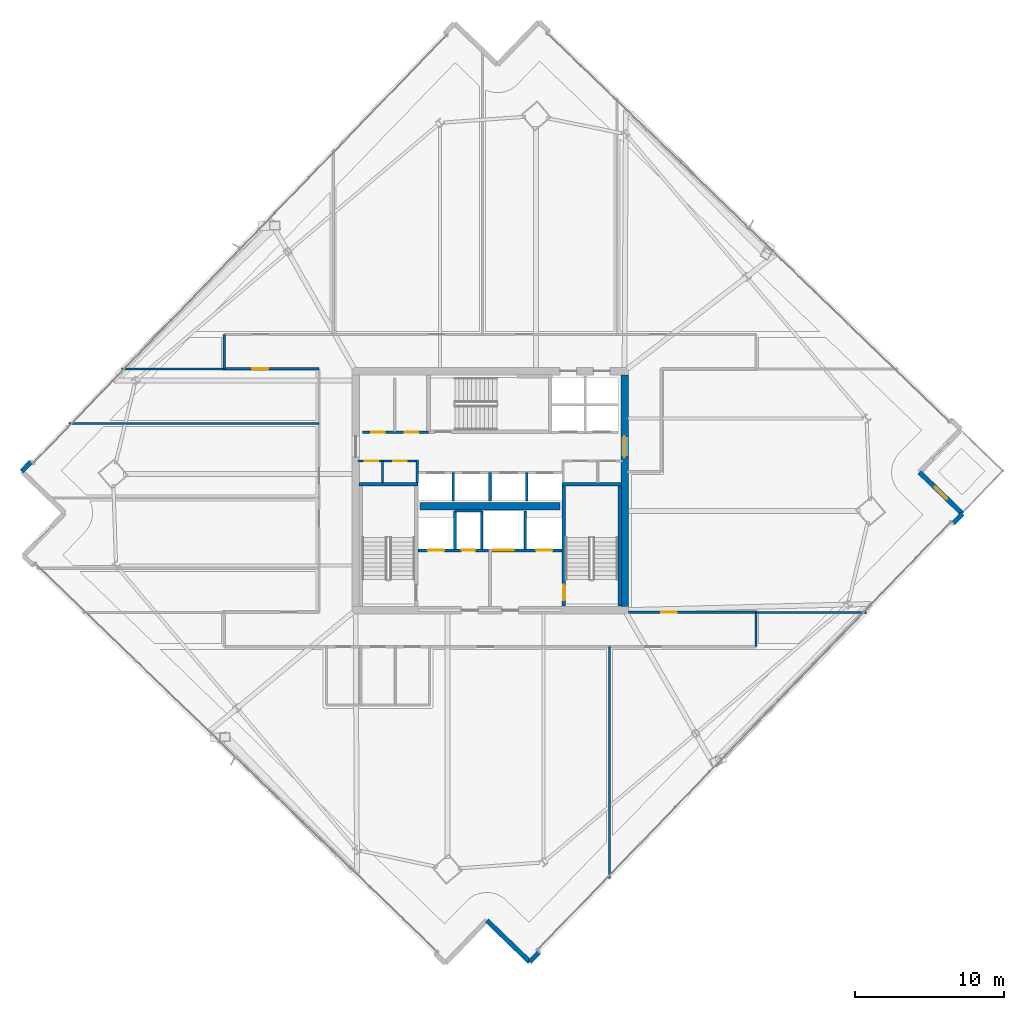
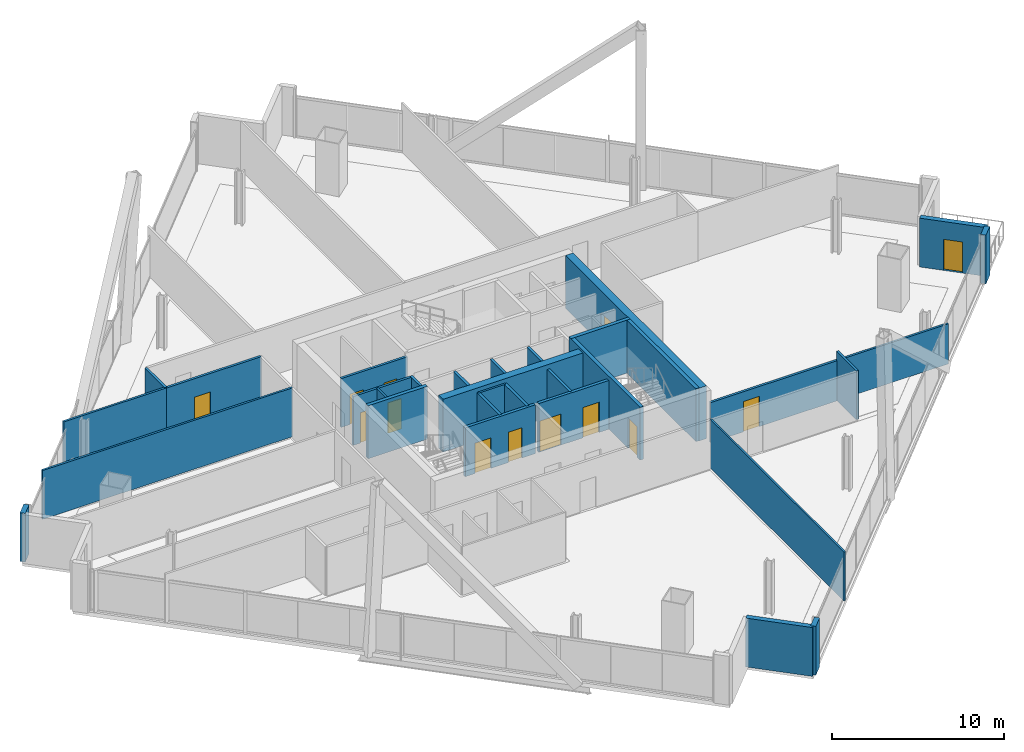
# One storey, part 26 of 33: 32 walls, 13 doors, 13 openings.
"""IFC4 building model written with IfcOpenShell, lengths in metres."""

from ifc_helpers import new_model, si_unit, direction, frame, frame_2d, origin, place, context, subcontext, project, spatial, rectangle, extrude, material, layer, layer_set, type_object, element, fill, save


model = new_model("IFC4")

# Units and contexts
model_context = context("Model", 3, precision=1e-05, world=origin(), true_north=direction((0.0, 1.0)))
body_context = subcontext(model_context, "Body", "Model", "MODEL_VIEW")
ifc_project = project(units=[si_unit("LENGTHUNIT", "METRE"), si_unit("AREAUNIT", "SQUARE_METRE"), si_unit("VOLUMEUNIT", "CUBIC_METRE"), si_unit("PLANEANGLEUNIT", "RADIAN"), si_unit("MASSUNIT", "GRAM", prefix="KILO")], contexts=[model_context])

# Site, building, storey
site_placement = place(None, origin())
site = spatial("IfcSite", under=ifc_project, at=site_placement, CompositionType="ELEMENT")
building_placement = place(site_placement, origin())
building = spatial("IfcBuilding", under=site, at=building_placement, Name="Haldenkirk Collegiate Tower", CompositionType="ELEMENT")
storey_placement = place(building_placement, frame((0.0, 0.0, 181.949951171875)))
storey = spatial("IfcBuildingStorey", under=building, at=storey_placement, Name="L45", CompositionType="ELEMENT", Elevation=181.949951171875)

# Wall, opening, door
ifc_material_1 = material(Name="Concrete f'c 55 MPa", Category="concrete")
ifc_layer_1 = layer(ifc_material_1, 0.5)
ifc_layer_set_1 = layer_set([ifc_layer_1], Name="Concrete f'c 55 MPa")
wall_type_1 = type_object("IfcWallType", Name="WL-CORE-500", PredefinedType="SHEAR", material=ifc_layer_set_1)
wall_1_placement = place(storey_placement, frame((45.0, 18.25, 0.0), z_axis=(0.0, 0.0, 1.0), x_axis=(0.0, 1.0, 0.0)))
wall_1 = element("IfcWall", 1, at=wall_1_placement, inside=storey, type_object=wall_type_1, Name="L45 central core shear wall E", PredefinedType="SHEAR", context=body_context, shape_type="SweptSolid", body=[
    extrude(rectangle(XDim=15.5, YDim=0.5, at=frame_2d((7.75, 0.0))), origin(), (0.0, 0.0, 1.0), 3.75),
])
opening_1_placement = place(wall_1_placement, frame((9.989990234375, 0.0, 0.0)))
opening_1 = element("IfcOpeningElement", 2, at=opening_1_placement, cuts=wall_1, Name="Opening D-03", PredefinedType="OPENING", context=body_context, shape_type="SweptSolid", body=[
    extrude(rectangle(XDim=1.39990234375, YDim=2.199951171875, at=frame_2d((0.699951171875, 1.10009765625))), frame((0.0, 0.260009765625, 0.0), z_axis=(0.0, -1.0, 0.0), x_axis=(1.0, 0.0, 0.0)), (0.0, 0.0, 1.0), 0.52001953125),
])
ifc_material_2 = material(Name="Galvanized fire-rated hollow steel door", Category="steel")
ifc_layer_2 = layer(ifc_material_2, 0.06005859375)
ifc_layer_set_2 = layer_set([ifc_layer_2], Name="Galvanized fire-rated hollow steel door")
door_type_1 = type_object("IfcDoorType", Name="DR-LOBBY-FD90-1400", OperationType="NOTDEFINED", PredefinedType="DOOR", material=ifc_layer_set_2)
door_1_placement = place(opening_1_placement, origin())
door_1 = element("IfcDoor", 3, at=door_1_placement, inside=storey, type_object=door_type_1, Name="L45 east lift lobby portal", OperationType="DOUBLE_DOOR_SINGLE_SWING", OverallHeight=2.199951171875, OverallWidth=1.39990234375, PredefinedType="DOOR", context=body_context, shape_type="SweptSolid", body=[
    extrude(rectangle(XDim=1.39990234375, YDim=2.199951171875, at=frame_2d((0.699951171875, 1.10009765625))), frame((0.0, 0.02490234375, 0.0), z_axis=(0.0, -1.0, 0.0), x_axis=(1.0, 0.0, 0.0)), (0.0, 0.0, 1.0), 0.050048828125),
])
fill(opening_1, door_1)

# Walls
wall_2_placement = place(storey_placement, frame((31.31005859375, 24.949951171875, 0.0), z_axis=(0.0, 0.0, 1.0), x_axis=(1.0, 0.0, 0.0)))
element("IfcWall", 4, at=wall_2_placement, inside=storey, type_object=wall_type_1, Name="L45 central core spine shear wall", PredefinedType="SHEAR", context=body_context, shape_type="SweptSolid", body=[
    extrude(rectangle(XDim=9.3798828125, YDim=0.5, at=frame_2d((4.68994140625, 0.0))), origin(), (0.0, 0.0, 1.0), 3.75),
])
ifc_material_3 = material(Name="Precast concrete f'c 40 MPa", Category="concrete")
ifc_layer_3 = layer(ifc_material_3, 0.320068359375)
ifc_layer_set_3 = layer_set([ifc_layer_3], Name="Precast concrete f'c 40 MPa")
wall_type_2 = type_object("IfcWallType", Name="WL-EXT-TWR-320", PredefinedType="STANDARD", material=ifc_layer_set_3)
for number, where, z_axis, x_axis, name in (
    (5, (67.621826171875, 24.447998046875, 0.0), (0.0, 0.0, 1.0), (-0.694657439791, -0.719340699073, 0.0), "L45 precast corner pier SL"),
    (6, (39.27978515625, -4.901123046875, 0.0), (0.0, 0.0, 1.0), (-0.694657439791, -0.719340699073, 0.0), "L45 precast corner pier SR"),
):
    element("IfcWall", number, at=place(storey_placement, frame(where, z_axis=z_axis, x_axis=x_axis)), inside=storey, type_object=wall_type_2, Name=name, PredefinedType="STANDARD", context=body_context, shape_type="SweptSolid", body=[
        extrude(rectangle(XDim=0.900146484375, YDim=0.320068359375, at=frame_2d((0.4501953125, 0.0))), origin(), (0.0, 0.0, 1.0), 3.4599609375),
    ])

# Wall, opening, door
wall_3_placement = place(storey_placement, frame((64.744384765625, 27.2265625, 0.0), z_axis=(0.0, 0.0, 1.0), x_axis=(0.719358340361, -0.694639171191, 0.0)))
wall_3 = element("IfcWall", 7, at=wall_3_placement, inside=storey, type_object=wall_type_2, Name="L45 bronze precast notch wall 02", PredefinedType="STANDARD", context=body_context, shape_type="SweptSolid", body=[
    extrude(rectangle(XDim=4.0, YDim=0.320068359375, at=frame_2d((2.0, 0.0))), origin(), (0.0, 0.0, 1.0), 3.4599609375),
])
opening_2_placement = place(wall_3_placement, frame((1.425048828125, 0.0, 0.0)))
opening_2 = element("IfcOpeningElement", 8, at=opening_2_placement, cuts=wall_3, Name="Opening D-ST11", PredefinedType="OPENING", context=body_context, shape_type="SweptSolid", body=[
    extrude(rectangle(XDim=1.14990234375, YDim=2.199951171875, at=frame_2d((0.574951171875, 1.10009765625))), frame((0.0, 0.169921875, 0.0), z_axis=(0.0, -1.0, 0.0), x_axis=(1.0, 0.0, 0.0)), (0.0, 0.0, 1.0), 0.340087890625),
])
ifc_material_4 = material(Name="Anodised architectural bronze aluminium", Category="aluminium")
ifc_layer_4 = layer(ifc_material_4, 0.080078125)
ifc_layer_set_4 = layer_set([ifc_layer_4], Name="Anodised architectural bronze aluminium")
door_type_2 = type_object("IfcDoorType", Name="DR-EXT-STER-1150", OperationType="NOTDEFINED", PredefinedType="DOOR", material=ifc_layer_set_4)
door_2_placement = place(opening_2_placement, origin())
door_2 = element("IfcDoor", 9, at=door_2_placement, inside=storey, type_object=door_type_2, Name="L45 spiralling terrace door", OperationType="SINGLE_SWING_RIGHT", OverallHeight=2.199951171875, OverallWidth=1.14990234375, PredefinedType="DOOR", context=body_context, shape_type="SweptSolid", body=[
    extrude(rectangle(XDim=1.14990234375, YDim=2.199951171875, at=frame_2d((0.574951171875, 1.10009765625))), frame((0.0, 0.02490234375, 0.0), z_axis=(0.0, -1.0, 0.0), x_axis=(1.0, 0.0, 0.0)), (0.0, 0.0, 1.0), 0.050048828125),
])
fill(opening_2, door_2)

# Walls
wall_4_placement = place(storey_placement, frame((4.64794921875, 27.29150390625, 0.0), z_axis=(0.0, 0.0, 1.0), x_axis=(0.694657439791, 0.719340699073, 0.0)))
element("IfcWall", 10, at=wall_4_placement, inside=storey, type_object=wall_type_2, Name="L45 precast corner pier NL", PredefinedType="STANDARD", context=body_context, shape_type="SweptSolid", body=[
    extrude(rectangle(XDim=0.900146484375, YDim=0.320068359375, at=frame_2d((0.4501953125, 0.0))), origin(), (0.0, 0.0, 1.0), 3.4599609375),
])
wall_5_placement = place(storey_placement, frame((38.654541015625, -5.548583984375, 0.0), z_axis=(0.0, 0.0, 1.0), x_axis=(-0.719298387927, 0.694701251709, 0.0)))
element("IfcWall", 11, at=wall_5_placement, inside=storey, type_object=wall_type_2, Name="L45 bronze precast notch wall 12", PredefinedType="STANDARD", context=body_context, shape_type="SweptSolid", body=[
    extrude(rectangle(XDim=4.0, YDim=0.320068359375, at=frame_2d((2.0, 0.0))), origin(), (0.0, 0.0, 1.0), 3.4599609375),
])

# Wall, openings, doors
ifc_material_5 = material(Name="Acoustic fire-rated gypsum partition", Category="concrete")
ifc_layer_5 = layer(ifc_material_5, 0.159912109375)
ifc_layer_set_5 = layer_set([ifc_layer_5], Name="Acoustic fire-rated gypsum partition")
wall_type_3 = type_object("IfcWallType", Name="WL-INT-CORR-160", PredefinedType="PARTITIONING", material=ifc_layer_set_5)
wall_6_placement = place(storey_placement, frame((27.14990234375, 27.97998046875, 0.0), z_axis=(0.0, 0.0, 1.0), x_axis=(1.0, 0.0, 0.0)))
wall_6 = element("IfcWall", 12, at=wall_6_placement, inside=storey, type_object=wall_type_3, Name="L45 interior partition IW-L45-VCSW-N", PredefinedType="PARTITIONING", context=body_context, shape_type="SweptSolid", body=[
    extrude(rectangle(XDim=4.050048828125, YDim=0.159912109375, at=frame_2d((2.02490234375, 0.0))), origin(), (0.0, 0.0, 1.0), 3.4599609375),
])
opening_3_placement = place(wall_6_placement, frame((0.469970703125, 0.0, 0.0)))
opening_3 = element("IfcOpeningElement", 13, at=opening_3_placement, cuts=wall_6, Name="Opening D-11", PredefinedType="OPENING", context=body_context, shape_type="SweptSolid", body=[
    extrude(rectangle(XDim=0.89990234375, YDim=2.14990234375, at=frame_2d((0.449951171875, 1.074951171875))), frame((0.0, 0.08984375, 0.0), z_axis=(0.0, -1.0, 0.0), x_axis=(1.0, 0.0, 0.0)), (0.0, 0.0, 1.0), 0.179931640625),
])
opening_4_placement = place(wall_6_placement, frame((2.360107421875, 0.0, 0.0)))
opening_4 = element("IfcOpeningElement", 14, at=opening_4_placement, cuts=wall_6, Name="Opening D-11", PredefinedType="OPENING", context=body_context, shape_type="SweptSolid", body=[
    extrude(rectangle(XDim=0.89990234375, YDim=2.14990234375, at=frame_2d((0.449951171875, 1.074951171875))), frame((0.0, 0.08984375, 0.0), z_axis=(0.0, -1.0, 0.0), x_axis=(1.0, 0.0, 0.0)), (0.0, 0.0, 1.0), 0.179931640625),
])
ifc_material_6 = material(Name="Solid-core architectural oak fire door", Category="wood")
ifc_layer_6 = layer(ifc_material_6, 0.06005859375)
ifc_layer_set_6 = layer_set([ifc_layer_6], Name="Solid-core architectural oak fire door")
door_type_3 = type_object("IfcDoorType", Name="DR-INT-FD60-900", OperationType="NOTDEFINED", PredefinedType="DOOR", material=ifc_layer_set_6)
door_3_placement = place(opening_3_placement, origin())
door_3 = element("IfcDoor", 15, at=door_3_placement, inside=storey, type_object=door_type_3, Name="L45 core AV closet door", OperationType="SINGLE_SWING_LEFT", OverallHeight=2.14990234375, OverallWidth=0.89990234375, PredefinedType="DOOR", context=body_context, shape_type="SweptSolid", body=[
    extrude(rectangle(XDim=0.89990234375, YDim=2.14990234375, at=frame_2d((0.449951171875, 1.074951171875))), frame((0.0, 0.02490234375, 0.0), z_axis=(0.0, -1.0, 0.0), x_axis=(1.0, 0.0, 0.0)), (0.0, 0.0, 1.0), 0.050048828125),
])
fill(opening_3, door_3)
door_4_placement = place(opening_4_placement, origin())
door_4 = element("IfcDoor", 16, at=door_4_placement, inside=storey, type_object=door_type_3, Name="L45 core supply closet door", OperationType="SINGLE_SWING_RIGHT", OverallHeight=2.14990234375, OverallWidth=0.89990234375, PredefinedType="DOOR", context=body_context, shape_type="SweptSolid", body=[
    extrude(rectangle(XDim=0.89990234375, YDim=2.14990234375, at=frame_2d((0.449951171875, 1.074951171875))), frame((0.0, 0.02490234375, 0.0), z_axis=(0.0, -1.0, 0.0), x_axis=(1.0, 0.0, 0.0)), (0.0, 0.0, 1.0), 0.050048828125),
])
fill(opening_4, door_4)

# Wall
wall_7_placement = place(storey_placement, frame((31.1201171875, 26.5400390625, 0.0), z_axis=(0.0, 0.0, 1.0), x_axis=(0.0, 1.0, 0.0)))
element("IfcWall", 17, at=wall_7_placement, inside=storey, type_object=wall_type_3, Name="L45 interior partition IW-L45-VCSW-E", PredefinedType="PARTITIONING", context=body_context, shape_type="SweptSolid", body=[
    extrude(rectangle(XDim=1.510009765625, YDim=0.159912109375, at=frame_2d((0.7548828125, 0.0))), origin(), (0.0, 0.0, 1.0), 3.4599609375),
])

# Wall, openings, doors
wall_8_placement = place(storey_placement, frame((27.449951171875, 29.89990234375, 0.0), z_axis=(0.0, 0.0, 1.0), x_axis=(1.0, 0.0, 0.0)))
wall_8 = element("IfcWall", 18, at=wall_8_placement, inside=storey, type_object=wall_type_3, Name="L45 interior partition IW-L45-PLS", PredefinedType="PARTITIONING", context=body_context, shape_type="SweptSolid", body=[
    extrude(rectangle(XDim=4.429931640625, YDim=0.159912109375, at=frame_2d((2.21484375, 0.0))), origin(), (0.0, 0.0, 1.0), 3.4599609375),
])
opening_5_placement = place(wall_8_placement, frame((0.60009765625, 0.0, 0.0)))
opening_5 = element("IfcOpeningElement", 19, at=opening_5_placement, cuts=wall_8, Name="Opening D-11", PredefinedType="OPENING", context=body_context, shape_type="SweptSolid", body=[
    extrude(rectangle(XDim=0.89990234375, YDim=2.14990234375, at=frame_2d((0.449951171875, 1.074951171875))), frame((0.0, 0.08984375, 0.0), z_axis=(0.0, -1.0, 0.0), x_axis=(1.0, 0.0, 0.0)), (0.0, 0.0, 1.0), 0.179931640625),
])
opening_6_placement = place(wall_8_placement, frame((2.85009765625, 0.0, 0.0)))
opening_6 = element("IfcOpeningElement", 20, at=opening_6_placement, cuts=wall_8, Name="Opening D-11", PredefinedType="OPENING", context=body_context, shape_type="SweptSolid", body=[
    extrude(rectangle(XDim=0.89990234375, YDim=2.14990234375, at=frame_2d((0.449951171875, 1.074951171875))), frame((0.0, 0.08984375, 0.0), z_axis=(0.0, -1.0, 0.0), x_axis=(1.0, 0.0, 0.0)), (0.0, 0.0, 1.0), 0.179931640625),
])
door_5_placement = place(opening_5_placement, origin())
door_5 = element("IfcDoor", 21, at=door_5_placement, inside=storey, type_object=door_type_3, Name="L45 tea kitchen door", OperationType="SINGLE_SWING_LEFT", OverallHeight=2.14990234375, OverallWidth=0.89990234375, PredefinedType="DOOR", context=body_context, shape_type="SweptSolid", body=[
    extrude(rectangle(XDim=0.89990234375, YDim=2.14990234375, at=frame_2d((0.449951171875, 1.074951171875))), frame((0.0, 0.02490234375, 0.0), z_axis=(0.0, -1.0, 0.0), x_axis=(1.0, 0.0, 0.0)), (0.0, 0.0, 1.0), 0.050048828125),
])
fill(opening_5, door_5)
door_6_placement = place(opening_6_placement, origin())
door_6 = element("IfcDoor", 22, at=door_6_placement, inside=storey, type_object=door_type_3, Name="L45 IT room door", OperationType="SINGLE_SWING_RIGHT", OverallHeight=2.14990234375, OverallWidth=0.89990234375, PredefinedType="DOOR", context=body_context, shape_type="SweptSolid", body=[
    extrude(rectangle(XDim=0.89990234375, YDim=2.14990234375, at=frame_2d((0.449951171875, 1.074951171875))), frame((0.0, 0.02490234375, 0.0), z_axis=(0.0, -1.0, 0.0), x_axis=(1.0, 0.0, 0.0)), (0.0, 0.0, 1.0), 0.050048828125),
])
fill(opening_6, door_6)

# Wall, opening, door
wall_9_placement = place(storey_placement, frame((45.25, 17.85009765625, 0.0), z_axis=(0.0, 0.0, 1.0), x_axis=(1.0, 0.0, 0.0)))
wall_9 = element("IfcWall", 23, at=wall_9_placement, inside=storey, type_object=wall_type_3, Name="L45 interior partition IW-L45-CSE", PredefinedType="PARTITIONING", context=body_context, shape_type="SweptSolid", body=[
    extrude(rectangle(XDim=8.550048828125, YDim=0.159912109375, at=frame_2d((4.27490234375, 0.0))), origin(), (0.0, 0.0, 1.0), 2.839111328125),
])
opening_7_placement = place(wall_9_placement, frame((2.2109375, 0.0, 0.0)))
opening_7 = element("IfcOpeningElement", 24, at=opening_7_placement, cuts=wall_9, Name="Opening D-09", PredefinedType="OPENING", context=body_context, shape_type="SweptSolid", body=[
    extrude(rectangle(XDim=1.050048828125, YDim=2.14990234375, at=frame_2d((0.52490234375, 1.074951171875))), frame((0.0, 0.08984375, 0.0), z_axis=(0.0, -1.0, 0.0), x_axis=(1.0, 0.0, 0.0)), (0.0, 0.0, 1.0), 0.179931640625),
])
ifc_layer_7 = layer(ifc_material_6, 0.06005859375)
ifc_layer_set_7 = layer_set([ifc_layer_7], Name="Solid-core architectural oak fire door")
door_type_4 = type_object("IfcDoorType", Name="DR-INT-FD60-1050", OperationType="NOTDEFINED", PredefinedType="DOOR", material=ifc_layer_set_7)
door_7_placement = place(opening_7_placement, origin())
door_7 = element("IfcDoor", 25, at=door_7_placement, inside=storey, type_object=door_type_4, Name="L45 Graduate Seminar Room 11 door", OperationType="SINGLE_SWING_RIGHT", OverallHeight=2.14990234375, OverallWidth=1.050048828125, PredefinedType="DOOR", context=body_context, shape_type="SweptSolid", body=[
    extrude(rectangle(XDim=1.050048828125, YDim=2.14990234375, at=frame_2d((0.52490234375, 1.074951171875))), frame((0.0, 0.02490234375, 0.0), z_axis=(0.0, -1.0, 0.0), x_axis=(1.0, 0.0, 0.0)), (0.0, 0.0, 1.0), 0.050048828125),
])
fill(opening_7, door_7)

wall_10_placement = place(storey_placement, frame((18.199951171875, 34.14990234375, 0.0), z_axis=(0.0, 0.0, 1.0), x_axis=(1.0, 0.0, 0.0)))
wall_10 = element("IfcWall", 26, at=wall_10_placement, inside=storey, type_object=wall_type_3, Name="L45 interior partition IW-L45-CNW", PredefinedType="PARTITIONING", context=body_context, shape_type="SweptSolid", body=[
    extrude(rectangle(XDim=6.35009765625, YDim=0.159912109375, at=frame_2d((3.175048828125, 0.0))), origin(), (0.0, 0.0, 1.0), 3.4599609375),
])
opening_8_placement = place(wall_10_placement, frame((1.887939453125, 0.0, 0.0)))
opening_8 = element("IfcOpeningElement", 27, at=opening_8_placement, cuts=wall_10, Name="Opening D-09", PredefinedType="OPENING", context=body_context, shape_type="SweptSolid", body=[
    extrude(rectangle(XDim=1.050048828125, YDim=2.14990234375, at=frame_2d((0.52490234375, 1.074951171875))), frame((0.0, 0.08984375, 0.0), z_axis=(0.0, -1.0, 0.0), x_axis=(1.0, 0.0, 0.0)), (0.0, 0.0, 1.0), 0.179931640625),
])
door_8_placement = place(opening_8_placement, origin())
door_8 = element("IfcDoor", 28, at=door_8_placement, inside=storey, type_object=door_type_4, Name="L45 Faculty Tea Kitchen 10 door", OperationType="SINGLE_SWING_LEFT", OverallHeight=2.14990234375, OverallWidth=1.050048828125, PredefinedType="DOOR", context=body_context, shape_type="SweptSolid", body=[
    extrude(rectangle(XDim=1.050048828125, YDim=2.14990234375, at=frame_2d((0.52490234375, 1.074951171875))), frame((0.0, 0.02490234375, 0.0), z_axis=(0.0, -1.0, 0.0), x_axis=(1.0, 0.0, 0.0)), (0.0, 0.0, 1.0), 0.050048828125),
])
fill(opening_8, door_8)

# Walls
for number, where, z_axis, x_axis, name in (
    (29, (53.800048828125, 15.550048828125, 0.0), (0.0, 0.0, 1.0), (0.0, 1.0, 0.0), "L45 interior partition IW-L45-CSR"),
    (30, (18.199951171875, 34.14990234375, 0.0), (0.0, 0.0, 1.0), (0.0, 1.0, 0.0), "L45 interior partition IW-L45-CNL"),
):
    element("IfcWall", number, at=place(storey_placement, frame(where, z_axis=z_axis, x_axis=x_axis)), inside=storey, type_object=wall_type_3, Name=name, PredefinedType="PARTITIONING", context=body_context, shape_type="SweptSolid", body=[
        extrude(rectangle(XDim=2.300048828125, YDim=0.159912109375, at=frame_2d((1.14990234375, 0.0))), origin(), (0.0, 0.0, 1.0), 3.4599609375),
    ])
ifc_layer_8 = layer(ifc_material_5, 0.139892578125)
ifc_layer_set_8 = layer_set([ifc_layer_8], Name="Acoustic fire-rated gypsum partition")
wall_type_4 = type_object("IfcWallType", Name="WL-INT-DIV-140", PredefinedType="PARTITIONING", material=ifc_layer_set_8)
wall_11_placement = place(storey_placement, frame((11.32666015625, 34.14990234375, 0.0), z_axis=(0.0, 0.0, 1.0), x_axis=(1.0, 0.0, 0.0)))
element("IfcWall", 31, at=wall_11_placement, inside=storey, type_object=wall_type_4, Name="L45 interior partition IW-L45-BWN", PredefinedType="PARTITIONING", context=body_context, shape_type="SweptSolid", body=[
    extrude(rectangle(XDim=6.873291015625, YDim=0.139892578125, at=frame_2d((3.4365234375, 0.0))), origin(), (0.0, 0.0, 1.0), 3.4599609375),
])
wall_12_placement = place(storey_placement, frame((53.800048828125, 17.85009765625, 0.0), z_axis=(0.0, 0.0, 1.0), x_axis=(1.0, 0.0, 0.0)))
element("IfcWall", 32, at=wall_12_placement, inside=storey, type_object=wall_type_4, Name="L45 interior partition IW-L45-BES", PredefinedType="PARTITIONING", context=body_context, shape_type="SweptSolid", body=[
    extrude(rectangle(XDim=7.39453125, YDim=0.139892578125, at=frame_2d((3.697265625, 0.0))), origin(), (0.0, 0.0, 1.0), 2.839111328125),
])
wall_13_placement = place(storey_placement, frame((7.802001953125, 30.5, 0.0), z_axis=(0.0, 0.0, 1.0), x_axis=(1.0, 0.0, 0.0)))
element("IfcWall", 33, at=wall_13_placement, inside=storey, type_object=wall_type_4, Name="L45 interior partition IW-L45-RW3", PredefinedType="PARTITIONING", context=body_context, shape_type="SweptSolid", body=[
    extrude(rectangle(XDim=16.748046875, YDim=0.139892578125, at=frame_2d((8.3740234375, 0.0))), origin(), (0.0, 0.0, 1.0), 3.4599609375),
])
ifc_material_7 = material(Name="Fire-rated gypsum shaftboard assembly", Category="concrete")
ifc_layer_9 = layer(ifc_material_7, 0.179931640625)
ifc_layer_set_9 = layer_set([ifc_layer_9], Name="Fire-rated gypsum shaftboard assembly")
wall_type_5 = type_object("IfcWallType", Name="WL-INT-SHAFT-180", PredefinedType="PARTITIONING", material=ifc_layer_set_9)
for number, where, z_axis, x_axis, name in (
    (34, (33.64990234375, 22.050048828125, 0.0), (0.0, 0.0, 1.0), (0.0, 1.0, 0.0), "L45 interior partition IW-L45-FL1E"),
    (35, (35.449951171875, 22.050048828125, 0.0), (0.0, 0.0, 1.0), (0.0, 1.0, 0.0), "L45 interior partition IW-L45-GL1W"),
):
    element("IfcWall", number, at=place(storey_placement, frame(where, z_axis=z_axis, x_axis=x_axis)), inside=storey, type_object=wall_type_5, Name=name, PredefinedType="PARTITIONING", context=body_context, shape_type="SweptSolid", body=[
        extrude(rectangle(XDim=2.599853515625, YDim=0.179931640625, at=frame_2d((1.2998046875, 0.0))), origin(), (0.0, 0.0, 1.0), 3.4599609375),
    ])
wall_14_placement = place(storey_placement, frame((33.64990234375, 24.64990234375, 0.0), z_axis=(0.0, 0.0, 1.0), x_axis=(1.0, 0.0, 0.0)))
element("IfcWall", 36, at=wall_14_placement, inside=storey, type_object=wall_type_5, Name="L45 interior partition IW-L45-RSRN", PredefinedType="PARTITIONING", context=body_context, shape_type="SweptSolid", body=[
    extrude(rectangle(XDim=1.800048828125, YDim=0.179931640625, at=frame_2d((0.89990234375, 0.0))), origin(), (0.0, 0.0, 1.0), 3.4599609375),
])
wall_15_placement = place(storey_placement, frame((38.35009765625, 22.050048828125, 0.0), z_axis=(0.0, 0.0, 1.0), x_axis=(0.0, 1.0, 0.0)))
element("IfcWall", 37, at=wall_15_placement, inside=storey, type_object=wall_type_5, Name="L45 interior partition IW-L45-GL1E", PredefinedType="PARTITIONING", context=body_context, shape_type="SweptSolid", body=[
    extrude(rectangle(XDim=2.599853515625, YDim=0.179931640625, at=frame_2d((1.2998046875, 0.0))), origin(), (0.0, 0.0, 1.0), 3.4599609375),
])
for number, where, z_axis, x_axis, name in (
    (38, (33.5400390625, 25.300048828125, 0.0), (0.0, 0.0, 1.0), (0.0, 1.0, 0.0), "L45 interior partition IW-L45-PHV1"),
    (39, (36.0, 25.300048828125, 0.0), (0.0, 0.0, 1.0), (0.0, 1.0, 0.0), "L45 interior partition IW-L45-PHV2"),
    (40, (38.4599609375, 25.300048828125, 0.0), (0.0, 0.0, 1.0), (0.0, 1.0, 0.0), "L45 interior partition IW-L45-PHV3"),
):
    element("IfcWall", number, at=place(storey_placement, frame(where, z_axis=z_axis, x_axis=x_axis)), inside=storey, type_object=wall_type_5, Name=name, PredefinedType="PARTITIONING", context=body_context, shape_type="SweptSolid", body=[
        extrude(rectangle(XDim=1.89990234375, YDim=0.179931640625, at=frame_2d((0.949951171875, 0.0))), origin(), (0.0, 0.0, 1.0), 3.4599609375),
    ])

# Wall, openings, doors
ifc_layer_10 = layer(ifc_material_7, 0.199951171875)
ifc_layer_set_10 = layer_set([ifc_layer_10], Name="Fire-rated gypsum shaftboard assembly")
wall_type_6 = type_object("IfcWallType", Name="WL-INT-SHAFT-200", PredefinedType="PARTITIONING", material=ifc_layer_set_10)
wall_16_placement = place(storey_placement, frame((31.18994140625, 22.0, 0.0), z_axis=(0.0, 0.0, 1.0), x_axis=(1.0, 0.0, 0.0)))
wall_16 = element("IfcWall", 41, at=wall_16_placement, inside=storey, type_object=wall_type_6, Name="L45 interior partition IW-L45-FFL1N", PredefinedType="PARTITIONING", context=body_context, shape_type="SweptSolid", body=[
    extrude(rectangle(XDim=4.68994140625, YDim=0.199951171875, at=frame_2d((2.344970703125, 0.0))), origin(), (0.0, 0.0, 1.0), 3.4599609375),
])
opening_9_placement = place(wall_16_placement, frame((2.909912109375, 0.0, 0.0)))
opening_9 = element("IfcOpeningElement", 42, at=opening_9_placement, cuts=wall_16, Name="Opening D-06", PredefinedType="OPENING", context=body_context, shape_type="SweptSolid", body=[
    extrude(rectangle(XDim=0.89990234375, YDim=2.14990234375, at=frame_2d((0.449951171875, 1.074951171875))), frame((0.0, 0.10986328125, 0.0), z_axis=(0.0, -1.0, 0.0), x_axis=(1.0, 0.0, 0.0)), (0.0, 0.0, 1.0), 0.219970703125),
])
opening_10_placement = place(wall_16_placement, frame((0.635009765625, 0.0, 0.0)))
opening_10 = element("IfcOpeningElement", 43, at=opening_10_placement, cuts=wall_16, Name="Opening LD-12", PredefinedType="OPENING", context=body_context, shape_type="SweptSolid", body=[
    extrude(rectangle(XDim=1.10009765625, YDim=2.14990234375, at=frame_2d((0.550048828125, 1.074951171875))), frame((0.0, 0.10986328125, 0.0), z_axis=(0.0, -1.0, 0.0), x_axis=(1.0, 0.0, 0.0)), (0.0, 0.0, 1.0), 0.219970703125),
])
ifc_layer_11 = layer(ifc_material_2, 0.06005859375)
ifc_layer_set_11 = layer_set([ifc_layer_11], Name="Galvanized fire-rated hollow steel door")
door_type_5 = type_object("IfcDoorType", Name="DR-INT-FD90-900", OperationType="NOTDEFINED", PredefinedType="DOOR", material=ifc_layer_set_11)
door_9_placement = place(opening_9_placement, origin())
door_9 = element("IfcDoor", 44, at=door_9_placement, inside=storey, type_object=door_type_5, Name="L45 electrical riser door", OperationType="SINGLE_SWING_RIGHT", OverallHeight=2.14990234375, OverallWidth=0.89990234375, PredefinedType="DOOR", context=body_context, shape_type="SweptSolid", body=[
    extrude(rectangle(XDim=0.89990234375, YDim=2.14990234375, at=frame_2d((0.449951171875, 1.074951171875))), frame((0.0, 0.02490234375, 0.0), z_axis=(0.0, -1.0, 0.0), x_axis=(1.0, 0.0, 0.0)), (0.0, 0.0, 1.0), 0.050048828125),
])
fill(opening_9, door_9)
ifc_material_8 = material(Name="Brushed architectural stainless steel", Category="steel")
ifc_layer_12 = layer(ifc_material_8, 0.06005859375)
ifc_layer_set_12 = layer_set([ifc_layer_12], Name="Brushed architectural stainless steel")
door_type_6 = type_object("IfcDoorType", Name="LD-FIRE-1100", OperationType="NOTDEFINED", PredefinedType="DOOR", material=ifc_layer_set_12)
door_10_placement = place(opening_10_placement, origin())
door_10 = element("IfcDoor", 45, at=door_10_placement, inside=storey, type_object=door_type_6, Name="L45 Elevator FL1 sliding landing door", OperationType="SLIDING_TO_LEFT", OverallHeight=2.14990234375, OverallWidth=1.10009765625, PredefinedType="DOOR", context=body_context, shape_type="SweptSolid", body=[
    extrude(rectangle(XDim=1.10009765625, YDim=2.14990234375, at=frame_2d((0.550048828125, 1.074951171875))), frame((0.0, 0.02490234375, 0.0), z_axis=(0.0, -1.0, 0.0), x_axis=(1.0, 0.0, 0.0)), (0.0, 0.0, 1.0), 0.050048828125),
])
fill(opening_10, door_10)

wall_17_placement = place(storey_placement, frame((36.1201171875, 22.0, 0.0), z_axis=(0.0, 0.0, 1.0), x_axis=(1.0, 0.0, 0.0)))
wall_17 = element("IfcWall", 46, at=wall_17_placement, inside=storey, type_object=wall_type_6, Name="L45 interior partition IW-L45-FFL2N", PredefinedType="PARTITIONING", context=body_context, shape_type="SweptSolid", body=[
    extrude(rectangle(XDim=4.68994140625, YDim=0.199951171875, at=frame_2d((2.344970703125, 0.0))), origin(), (0.0, 0.0, 1.0), 3.4599609375),
])
opening_11_placement = place(wall_17_placement, frame((2.955078125, 0.0, 0.0)))
opening_11 = element("IfcOpeningElement", 47, at=opening_11_placement, cuts=wall_17, Name="Opening LD-12", PredefinedType="OPENING", context=body_context, shape_type="SweptSolid", body=[
    extrude(rectangle(XDim=1.10009765625, YDim=2.14990234375, at=frame_2d((0.550048828125, 1.074951171875))), frame((0.0, 0.10986328125, 0.0), z_axis=(0.0, -1.0, 0.0), x_axis=(1.0, 0.0, 0.0)), (0.0, 0.0, 1.0), 0.219970703125),
])
opening_12_placement = place(wall_17_placement, frame((0.080078125, 0.0, 0.0)))
opening_12 = element("IfcOpeningElement", 48, at=opening_12_placement, cuts=wall_17, Name="Opening LD-13", PredefinedType="OPENING", context=body_context, shape_type="SweptSolid", body=[
    extrude(rectangle(XDim=1.39990234375, YDim=2.199951171875, at=frame_2d((0.699951171875, 1.10009765625))), frame((0.0, 0.10986328125, 0.0), z_axis=(0.0, -1.0, 0.0), x_axis=(1.0, 0.0, 0.0)), (0.0, 0.0, 1.0), 0.219970703125),
])
door_11_placement = place(opening_11_placement, origin())
door_11 = element("IfcDoor", 49, at=door_11_placement, inside=storey, type_object=door_type_6, Name="L45 Elevator FL2 sliding landing door", OperationType="SLIDING_TO_LEFT", OverallHeight=2.14990234375, OverallWidth=1.10009765625, PredefinedType="DOOR", context=body_context, shape_type="SweptSolid", body=[
    extrude(rectangle(XDim=1.10009765625, YDim=2.14990234375, at=frame_2d((0.550048828125, 1.074951171875))), frame((0.0, 0.02490234375, 0.0), z_axis=(0.0, -1.0, 0.0), x_axis=(1.0, 0.0, 0.0)), (0.0, 0.0, 1.0), 0.050048828125),
])
fill(opening_11, door_11)
ifc_layer_13 = layer(ifc_material_8, 0.06005859375)
ifc_layer_set_13 = layer_set([ifc_layer_13], Name="Brushed architectural stainless steel")
door_type_7 = type_object("IfcDoorType", Name="LD-GOODS-1400", OperationType="NOTDEFINED", PredefinedType="DOOR", material=ifc_layer_set_13)
door_12_placement = place(opening_12_placement, origin())
door_12 = element("IfcDoor", 50, at=door_12_placement, inside=storey, type_object=door_type_7, Name="L45 Elevator GL1 sliding landing door", OperationType="SLIDING_TO_LEFT", OverallHeight=2.199951171875, OverallWidth=1.39990234375, PredefinedType="DOOR", context=body_context, shape_type="SweptSolid", body=[
    extrude(rectangle(XDim=1.39990234375, YDim=2.199951171875, at=frame_2d((0.699951171875, 1.10009765625))), frame((0.0, 0.02490234375, 0.0), z_axis=(0.0, -1.0, 0.0), x_axis=(1.0, 0.0, 0.0)), (0.0, 0.0, 1.0), 0.050048828125),
])
fill(opening_12, door_12)

# Walls
ifc_layer_14 = layer(ifc_material_5, 0.1201171875)
ifc_layer_set_14 = layer_set([ifc_layer_14], Name="Acoustic fire-rated gypsum partition")
wall_type_7 = type_object("IfcWallType", Name="WL-INT-WET-120", PredefinedType="PARTITIONING", material=ifc_layer_set_14)
wall_18_placement = place(storey_placement, frame((28.800048828125, 26.5400390625, 0.0), z_axis=(0.0, 0.0, 1.0), x_axis=(0.0, 1.0, 0.0)))
element("IfcWall", 51, at=wall_18_placement, inside=storey, type_object=wall_type_7, Name="L45 interior partition IW-L45-VCSW-M", PredefinedType="PARTITIONING", context=body_context, shape_type="SweptSolid", body=[
    extrude(rectangle(XDim=1.43994140625, YDim=0.1201171875, at=frame_2d((0.719970703125, 0.0))), origin(), (0.0, 0.0, 1.0), 3.4599609375),
])
wall_19_placement = place(storey_placement, frame((44.0, 0.04443359375, 0.0), z_axis=(0.0, 0.0, 1.0), x_axis=(0.0, 1.0, 0.0)))
element("IfcWall", 52, at=wall_19_placement, inside=storey, type_object=wall_type_7, Name="L45 interior partition IW-L45-RS1", PredefinedType="PARTITIONING", context=body_context, shape_type="SweptSolid", body=[
    extrude(rectangle(XDim=15.505615234375, YDim=0.1201171875, at=frame_2d((7.7529296875, 0.0))), origin(), (0.0, 0.0, 1.0), 3.4599609375),
])
ifc_layer_15 = layer(ifc_material_1, 0.239990234375)
ifc_layer_set_15 = layer_set([ifc_layer_15], Name="Concrete f'c 55 MPa")
wall_type_8 = type_object("IfcWallType", Name="WL-SHAFT-240", PredefinedType="SHEAR", material=ifc_layer_set_15)
wall_20_placement = place(storey_placement, frame((27.2099609375, 26.419921875, 0.0), z_axis=(0.0, 0.0, 1.0), x_axis=(1.0, 0.0, 0.0)))
element("IfcWall", 53, at=wall_20_placement, inside=storey, type_object=wall_type_8, Name="L45 stair shaft shear wall SW-L45-ST1N", PredefinedType="SHEAR", context=body_context, shape_type="SweptSolid", body=[
    extrude(rectangle(XDim=3.97998046875, YDim=0.239990234375, at=frame_2d((1.989990234375, 0.0))), origin(), (0.0, 0.0, 1.0), 3.75),
])

# Wall, opening, door
wall_21_placement = place(storey_placement, frame((40.929931640625, 18.280029296875, 0.0), z_axis=(0.0, 0.0, 1.0), x_axis=(0.0, 1.0, 0.0)))
wall_21 = element("IfcWall", 54, at=wall_21_placement, inside=storey, type_object=wall_type_8, Name="L45 stair shaft shear wall SW-L45-ST2W", PredefinedType="SHEAR", context=body_context, shape_type="SweptSolid", body=[
    extrude(rectangle(XDim=8.260009765625, YDim=0.239990234375, at=frame_2d((4.1298828125, 0.0))), origin(), (0.0, 0.0, 1.0), 3.75),
])
opening_13_placement = place(wall_21_placement, frame((0.364990234375, 0.0, 0.0)))
opening_13 = element("IfcOpeningElement", 55, at=opening_13_placement, cuts=wall_21, Name="Opening D-01", PredefinedType="OPENING", context=body_context, shape_type="SweptSolid", body=[
    extrude(rectangle(XDim=1.050048828125, YDim=2.14990234375, at=frame_2d((0.52490234375, 1.074951171875))), frame((0.0, 0.1298828125, 0.0), z_axis=(0.0, -1.0, 0.0), x_axis=(1.0, 0.0, 0.0)), (0.0, 0.0, 1.0), 0.260009765625),
])
ifc_layer_16 = layer(ifc_material_2, 0.06005859375)
ifc_layer_set_16 = layer_set([ifc_layer_16], Name="Galvanized fire-rated hollow steel door")
door_type_8 = type_object("IfcDoorType", Name="DR-STAIR-FD90-1050", OperationType="NOTDEFINED", PredefinedType="DOOR", material=ifc_layer_set_16)
door_13_placement = place(opening_13_placement, origin())
door_13 = element("IfcDoor", 56, at=door_13_placement, inside=storey, type_object=door_type_8, Name="L45 Stair 2 door", OperationType="SINGLE_SWING_RIGHT", OverallHeight=2.14990234375, OverallWidth=1.050048828125, PredefinedType="DOOR", context=body_context, shape_type="SweptSolid", body=[
    extrude(rectangle(XDim=1.050048828125, YDim=2.14990234375, at=frame_2d((0.52490234375, 1.074951171875))), frame((0.0, 0.02490234375, 0.0), z_axis=(0.0, -1.0, 0.0), x_axis=(1.0, 0.0, 0.0)), (0.0, 0.0, 1.0), 0.050048828125),
])
fill(opening_13, door_13)

# Walls
wall_22_placement = place(storey_placement, frame((40.81005859375, 26.419921875, 0.0), z_axis=(0.0, 0.0, 1.0), x_axis=(1.0, 0.0, 0.0)))
element("IfcWall", 57, at=wall_22_placement, inside=storey, type_object=wall_type_8, Name="L45 stair shaft shear wall SW-L45-ST2N", PredefinedType="SHEAR", context=body_context, shape_type="SweptSolid", body=[
    extrude(rectangle(XDim=3.97998046875, YDim=0.239990234375, at=frame_2d((1.989990234375, 0.0))), origin(), (0.0, 0.0, 1.0), 3.75),
])
wall_23_placement = place(storey_placement, frame((44.669921875, 18.280029296875, 0.0), z_axis=(0.0, 0.0, 1.0), x_axis=(0.0, 1.0, 0.0)))
element("IfcWall", 58, at=wall_23_placement, inside=storey, type_object=wall_type_8, Name="L45 stair shaft shear wall SW-L45-ST2E", PredefinedType="SHEAR", context=body_context, shape_type="SweptSolid", body=[
    extrude(rectangle(XDim=8.260009765625, YDim=0.239990234375, at=frame_2d((4.1298828125, 0.0))), origin(), (0.0, 0.0, 1.0), 3.75),
])

save(model, "model.ifc")
